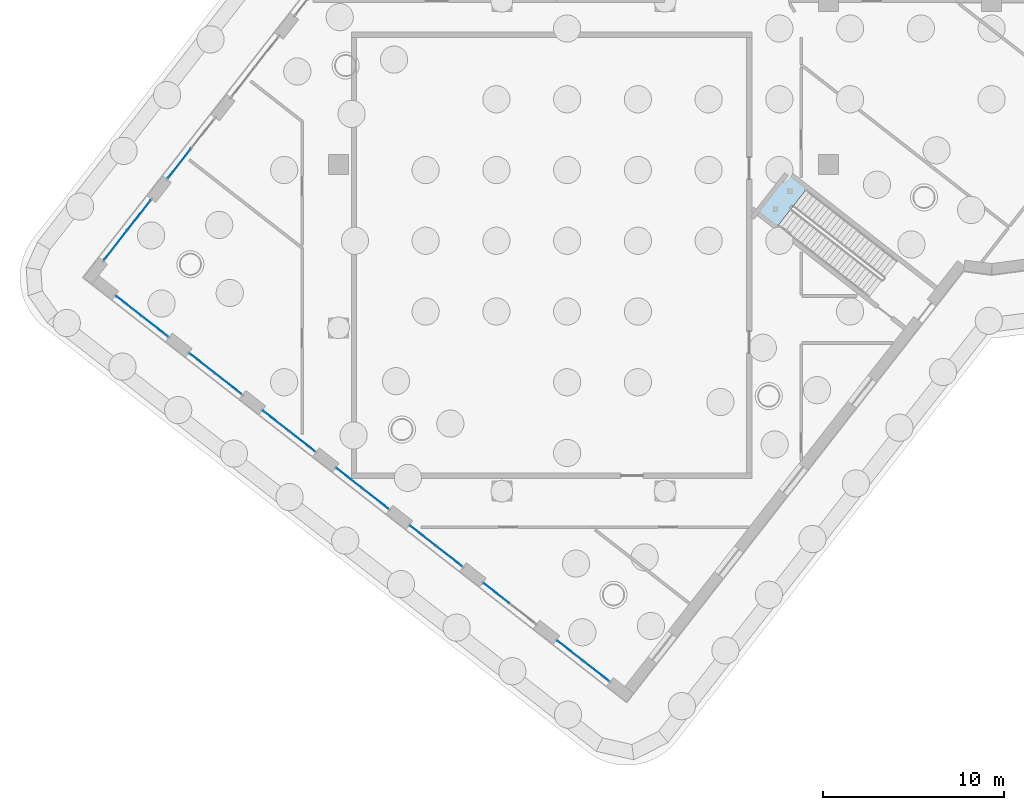
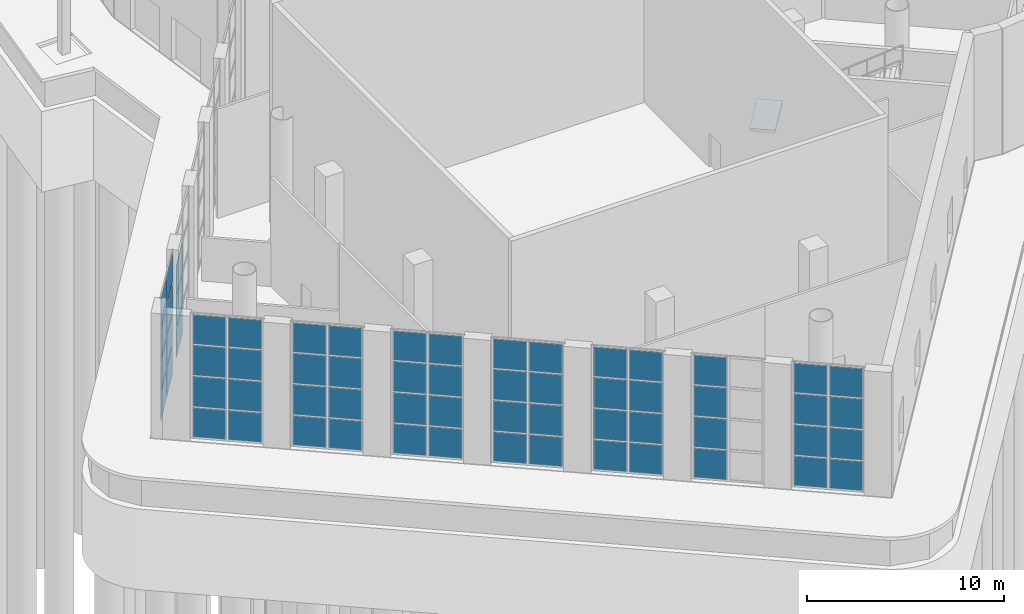
# One storey, part 7 of 34: 63 plates, 1 slab, 10 elements without a shape of their own.
"""IFC4 building model written with IfcOpenShell, lengths in metres."""

import ifcopenshell
import ifcopenshell.guid

model = None  # the IFC model being written
_history = None  # IfcOwnerHistory: only IFC2X3 demands one
_inside = {}  # id of a spatial element -> (the spatial element, [elements in it])
_under = {}  # id of a project, library or spatial element -> (it, [spatial elements below it])
_declared = {}  # id of a project -> (the project, [libraries it declares])
_typed = {}  # id of a type object -> (the type object, [elements of that type])
_made_of = {}  # id of a material, layer set ... -> (it, [elements and type objects made of it])


def new_model(schema):
    """Start an empty IFC model of exactly this schema.

    Asked for "IFC4X3", IfcOpenShell would pick the latest addendum, in which some entities
    have other attributes; the version numbers below select the first issue.
    IFC2X3 requires an IfcOwnerHistory on every rooted entity: one is made here for all.
    """
    global model, _history
    if schema == "IFC4X3":
        model = ifcopenshell.file(schema_version=(4, 3, 0, 0))
    else:
        model = ifcopenshell.file(schema=schema)
    _inside.clear()
    _under.clear()
    _declared.clear()
    _typed.clear()
    _made_of.clear()
    _history = None
    if model.schema == "IFC2X3":
        org = make("IfcOrganization", Name="unknown")
        user = make(
            "IfcPersonAndOrganization",
            ThePerson=make("IfcPerson", FamilyName="unknown"),
            TheOrganization=org,
        )
        app = make(
            "IfcApplication",
            ApplicationDeveloper=org,
            Version="unknown",
            ApplicationFullName="unknown",
            ApplicationIdentifier="unknown",
        )
        _history = make(
            "IfcOwnerHistory",
            OwningUser=user,
            OwningApplication=app,
            ChangeAction="ADDED",
            CreationDate=0,
        )
    return model


def make(cls, **values):
    """One entity of the class cls with the attributes given. An attribute that is None is left unset."""
    return model.create_entity(
        cls, **{name: value for name, value in values.items() if value is not None}
    )


def rooted(cls, **values):
    """An entity with a GlobalId (a new one), such as an element, a storey or a relation."""
    return make(cls, GlobalId=ifcopenshell.guid.new(), OwnerHistory=_history, **values)


def si_unit(unit_type, name, prefix=None):
    """IfcSIUnit, for example si_unit("LENGTHUNIT", "METRE", prefix="MILLI")."""
    return make("IfcSIUnit", UnitType=unit_type, Prefix=prefix, Name=name)


def assignment(units):
    """IfcUnitAssignment: the units of a project."""
    return None if units is None else make("IfcUnitAssignment", Units=units)


def point(xyz):
    """IfcCartesianPoint."""
    return None if xyz is None else make("IfcCartesianPoint", Coordinates=xyz)


def direction(xyz):
    """IfcDirection."""
    return None if xyz is None else make("IfcDirection", DirectionRatios=xyz)


def frame(location, z_axis=None, x_axis=None):
    """IfcAxis2Placement3D, a coordinate frame: its origin and axes. An axis left out is left unset."""
    return make(
        "IfcAxis2Placement3D",
        Location=point(location),
        Axis=direction(z_axis),
        RefDirection=direction(x_axis),
    )


def frame_2d(location, x_axis=None):
    """IfcAxis2Placement2D, a coordinate frame in the plane: its origin and x axis."""
    return make(
        "IfcAxis2Placement2D", Location=point(location), RefDirection=direction(x_axis)
    )


def origin():
    """The frame at (0, 0, 0) with its axes left unset."""
    return frame((0.0, 0.0, 0.0))


def origin_2d():
    """The frame at (0, 0) in the plane with its x axis left unset."""
    return frame_2d((0.0, 0.0))


def place(relative_to, where):
    """IfcLocalPlacement: puts the frame where relative to a parent placement (None: the world)."""
    return make(
        "IfcLocalPlacement", PlacementRelTo=relative_to, RelativePlacement=where
    )


def context(
    kind, dimensions, precision=None, world=None, true_north=None, identifier=None
):
    """IfcGeometricRepresentationContext, for example the 3D "Model" context."""
    return make(
        "IfcGeometricRepresentationContext",
        ContextIdentifier=identifier,
        ContextType=kind,
        CoordinateSpaceDimension=dimensions,
        Precision=precision,
        WorldCoordinateSystem=world,
        TrueNorth=true_north,
    )


def subcontext(parent, identifier, kind, view, scale=None):
    """IfcGeometricRepresentationSubContext, for example "Body" below "Model"."""
    return make(
        "IfcGeometricRepresentationSubContext",
        ContextIdentifier=identifier,
        ContextType=kind,
        ParentContext=parent,
        TargetScale=scale,
        TargetView=view,
    )


def project(units=None, contexts=None):
    """IfcProject with its units and contexts."""
    return rooted(
        "IfcProject",
        Name="project",
        RepresentationContexts=contexts,
        UnitsInContext=assignment(units),
    )


def spatial(cls, under=None, at=None, **own):
    """A site, building, storey or space (cls), placed at a placement, below another one or the project."""
    s = rooted(cls, ObjectPlacement=at, **own)
    if under is not None:
        _under.setdefault(under.id(), (under, []))[1].append(s)
    return s


def polyline(points):
    """IfcPolyline through the points."""
    return make("IfcPolyline", Points=[point(p) for p in points])


def profile(cls, at=None, kind="AREA", **sizes):
    """A parametric profile (cls). Its sizes go by their IFC names, for example OverallWidth=200.0."""
    return make(cls, ProfileType=kind, Position=at, **sizes)


def rectangle(**sizes):
    """IfcRectangleProfileDef."""
    return profile("IfcRectangleProfileDef", **sizes)


def outline(outer, holes=None, kind="AREA"):
    """IfcArbitraryClosedProfileDef: a profile drawn as a closed curve; with holes, ...WithVoids."""
    if holes is None:
        return make("IfcArbitraryClosedProfileDef", ProfileType=kind, OuterCurve=outer)
    return make(
        "IfcArbitraryProfileDefWithVoids",
        ProfileType=kind,
        OuterCurve=outer,
        InnerCurves=holes,
    )


def extrude(swept, where, along, depth):
    """IfcExtrudedAreaSolid: the profile swept, set in the frame where, extruded along a direction by depth."""
    return make(
        "IfcExtrudedAreaSolid",
        SweptArea=swept,
        Position=where,
        ExtrudedDirection=direction(along),
        Depth=depth,
    )


def shape(context_of_items, identifier, shape_type, items):
    """IfcShapeRepresentation: the items that make up one representation, for example the "Body"."""
    return make(
        "IfcShapeRepresentation",
        ContextOfItems=context_of_items,
        RepresentationIdentifier=identifier,
        RepresentationType=shape_type,
        Items=items,
    )


def material(Name=None, Category=None):
    """IfcMaterial."""
    return make("IfcMaterial", Name=Name, Category=Category)


def layer(
    of_material, thickness, ventilated=None, Name=None, Category=None, Priority=None
):
    """IfcMaterialLayer: one layer of a wall or slab, of a material (None: an air gap)."""
    return make(
        "IfcMaterialLayer",
        Material=of_material,
        LayerThickness=thickness,
        IsVentilated=ventilated,
        Name=Name,
        Category=Category,
        Priority=Priority,
    )


def layer_set(layers, Name=None):
    """IfcMaterialLayerSet."""
    return make("IfcMaterialLayerSet", MaterialLayers=layers, LayerSetName=Name)


def made_of(thing, what):
    """Note that an element or type object is made of a material, layer set ...; save() writes the relation."""
    if what is not None:
        _made_of.setdefault(what.id(), (what, []))[1].append(thing)
    return thing


def type_object(cls, material=None, **own):
    """A type object (cls), such as IfcWallType, which elements share."""
    return made_of(rooted(cls, **own), material)


def element(
    cls,
    number,
    at=None,
    inside=None,
    cuts=None,
    type_object=None,
    material=None,
    context=None,
    identifier="Body",
    shape_type=None,
    held_by="IfcProductDefinitionShape",
    body=None,
    shapes=None,
    **own,
):
    """One element of the class cls, such as IfcWall. Its Tag is "e" and its number.

    at: its placement. inside: the storey or other place that contains it. cuts: it is an
    opening in that element (IfcRelVoidsElement). A single representation is given by context,
    identifier, shape_type and body (its items); several are given by shapes. held_by: the class
    of the entity that holds the representations. save() writes the other relations.
    """
    e = rooted(cls, Tag="e%d" % number, ObjectPlacement=at, **own)
    if body is not None:
        shapes = [shape(context, identifier, shape_type, body)]
    if shapes is not None:
        e.Representation = make(held_by, Representations=shapes)
    if inside is not None:
        _inside.setdefault(inside.id(), (inside, []))[1].append(e)
    if cuts is not None:
        rooted(
            "IfcRelVoidsElement", RelatingBuildingElement=cuts, RelatedOpeningElement=e
        )
    if type_object is not None:
        _typed.setdefault(type_object.id(), (type_object, []))[1].append(e)
    return made_of(e, material)


def aggregate(whole, parts):
    """IfcRelAggregates: a whole, such as a stair, and the parts it consists of."""
    return rooted("IfcRelAggregates", RelatingObject=whole, RelatedObjects=parts)


def save(model, path):
    """Write the relations noted so far, then the file.

    IfcRelAggregates (storeys below a building ...), IfcRelContainedInSpatialStructure (elements
    in a storey), IfcRelDefinesByType, IfcRelAssociatesMaterial and IfcRelDeclares: one each for
    every whole, place, type object, material and project.
    """
    for whole, parts in _under.values():
        aggregate(whole, parts)
    for where, things in _inside.values():
        rooted(
            "IfcRelContainedInSpatialStructure",
            RelatedElements=things,
            RelatingStructure=where,
        )
    for kind, things in _typed.values():
        rooted("IfcRelDefinesByType", RelatedObjects=things, RelatingType=kind)
    for what, things in _made_of.values():
        rooted("IfcRelAssociatesMaterial", RelatedObjects=things, RelatingMaterial=what)
    for by, libraries in _declared.values():
        rooted("IfcRelDeclares", RelatingContext=by, RelatedDefinitions=libraries)
    model.write(path)


model = new_model("IFC4")

# Units and contexts
model_context = context("Model", 3, precision=1e-05, world=origin(), true_north=direction((0.0, 1.0)))
body_context = subcontext(model_context, "Body", "Model", "MODEL_VIEW")
ifc_project = project(units=[si_unit("LENGTHUNIT", "METRE"), si_unit("AREAUNIT", "SQUARE_METRE"), si_unit("VOLUMEUNIT", "CUBIC_METRE"), si_unit("PLANEANGLEUNIT", "RADIAN"), si_unit("MASSUNIT", "GRAM", prefix="KILO")], contexts=[model_context])

# Site, building, storey
site_placement = place(None, origin())
site = spatial("IfcSite", under=ifc_project, at=site_placement, CompositionType="ELEMENT")
building_placement = place(site_placement, origin())
building = spatial("IfcBuilding", under=site, at=building_placement, Name="Tarsis Ring Headquarters", CompositionType="ELEMENT")
storey_placement = place(building_placement, origin())
storey = spatial("IfcBuildingStorey", under=building, at=storey_placement, Name="L00", CompositionType="ELEMENT", Elevation=0.0)

# Curtain wall, plates
ifc_material_1 = material(Name="Aluminium and glass", Category="aluminium")
curtain_wall_type = type_object("IfcCurtainWallType", Name="PO-CW1", PredefinedType="NOTDEFINED", material=ifc_material_1)
curtain_wall_1_placement = place(storey_placement, origin())
curtain_wall_1 = element("IfcCurtainWall", 1, at=curtain_wall_1_placement, inside=storey, type_object=curtain_wall_type, Name="Shopfront curtain wall 6.4", PredefinedType="NOTDEFINED")
ifc_material_2 = material(Name="Insulated glass", Category="glass")
plate_type = type_object("IfcPlateType", Name="PO-CW1P", PredefinedType="CURTAIN_PANEL", material=ifc_material_2)
plate_1_placement = place(storey_placement, frame((-44.779296875, -26.941162109375, 0.080078125), z_axis=(0.0, 0.0, 1.0), x_axis=(-0.615661392269, -0.788010818498, 0.0)))
plate_1 = element("IfcPlate", 2, at=plate_1_placement, type_object=plate_type, Name="CW-P1 panel 2.1", PredefinedType="CURTAIN_PANEL", context=body_context, shape_type="SweptSolid", body=[
    extrude(rectangle(XDim=2.032470703125, YDim=0.028076171875, at=origin_2d()), origin(), (0.0, 0.0, 1.0), 1.8173828125),
])
plate_2_placement = place(storey_placement, frame((-44.779296875, -26.941162109375, 1.9775390625), z_axis=(0.0, 0.0, 1.0), x_axis=(-0.615661392269, -0.788010818498, 0.0)))
plate_2 = element("IfcPlate", 3, at=plate_2_placement, type_object=plate_type, Name="CW-P1 panel 2.2", PredefinedType="CURTAIN_PANEL", context=body_context, shape_type="SweptSolid", body=[
    extrude(rectangle(XDim=2.032470703125, YDim=0.028076171875, at=origin_2d()), origin(), (0.0, 0.0, 1.0), 1.857421875),
])
plate_3_placement = place(storey_placement, frame((-44.779296875, -26.941162109375, 3.9150390625), z_axis=(0.0, 0.0, 1.0), x_axis=(-0.615661392269, -0.788010818498, 0.0)))
plate_3 = element("IfcPlate", 4, at=plate_3_placement, type_object=plate_type, Name="CW-P1 panel 2.3", PredefinedType="CURTAIN_PANEL", context=body_context, shape_type="SweptSolid", body=[
    extrude(rectangle(XDim=2.032470703125, YDim=0.028076171875, at=origin_2d()), origin(), (0.0, 0.0, 1.0), 1.857421875),
])
aggregate(curtain_wall_1, [plate_1, plate_2, plate_3])

curtain_wall_2_placement = place(storey_placement, origin())
curtain_wall_2 = element("IfcCurtainWall", 5, at=curtain_wall_2_placement, inside=storey, type_object=curtain_wall_type, Name="Shopfront curtain wall 6.5", PredefinedType="NOTDEFINED")
plate_4_placement = place(storey_placement, frame((-46.9912109375, -29.77197265625, 0.080078125), z_axis=(0.0, 0.0, 1.0), x_axis=(-0.615661504964, -0.788010730451, 0.0)))
plate_4 = element("IfcPlate", 6, at=plate_4_placement, type_object=plate_type, Name="CW-P1 panel 1.1", PredefinedType="CURTAIN_PANEL", context=body_context, shape_type="SweptSolid", body=[
    extrude(rectangle(XDim=2.032470703125, YDim=0.028076171875, at=origin_2d()), origin(), (0.0, 0.0, 1.0), 1.8173828125),
])
plate_5_placement = place(storey_placement, frame((-46.9912109375, -29.77197265625, 1.9775390625), z_axis=(0.0, 0.0, 1.0), x_axis=(-0.615661504964, -0.788010730451, 0.0)))
plate_5 = element("IfcPlate", 7, at=plate_5_placement, type_object=plate_type, Name="CW-P1 panel 1.2", PredefinedType="CURTAIN_PANEL", context=body_context, shape_type="SweptSolid", body=[
    extrude(rectangle(XDim=2.032470703125, YDim=0.028076171875, at=origin_2d()), origin(), (0.0, 0.0, 1.0), 1.857421875),
])
plate_6_placement = place(storey_placement, frame((-46.9912109375, -29.77197265625, 3.9150390625), z_axis=(0.0, 0.0, 1.0), x_axis=(-0.615661504964, -0.788010730451, 0.0)))
plate_6 = element("IfcPlate", 8, at=plate_6_placement, type_object=plate_type, Name="CW-P1 panel 1.3", PredefinedType="CURTAIN_PANEL", context=body_context, shape_type="SweptSolid", body=[
    extrude(rectangle(XDim=2.032470703125, YDim=0.028076171875, at=origin_2d()), origin(), (0.0, 0.0, 1.0), 1.857421875),
])
plate_7_placement = place(storey_placement, frame((-46.9912109375, -29.77197265625, 5.8525390625), z_axis=(0.0, 0.0, 1.0), x_axis=(-0.615661504964, -0.788010730451, 0.0)))
plate_7 = element("IfcPlate", 9, at=plate_7_placement, type_object=plate_type, Name="CW-P1 panel 1.4", PredefinedType="CURTAIN_PANEL", context=body_context, shape_type="SweptSolid", body=[
    extrude(rectangle(XDim=2.032470703125, YDim=0.028076171875, at=origin_2d()), origin(), (0.0, 0.0, 1.0), 1.8173828125),
])
plate_8_placement = place(storey_placement, frame((-48.291748046875, -31.436767578125, 0.080078125), z_axis=(0.0, 0.0, 1.0), x_axis=(-0.615661504964, -0.788010730451, 0.0)))
plate_8 = element("IfcPlate", 10, at=plate_8_placement, type_object=plate_type, Name="CW-P1 panel 2.1", PredefinedType="CURTAIN_PANEL", context=body_context, shape_type="SweptSolid", body=[
    extrude(rectangle(XDim=2.032470703125, YDim=0.028076171875, at=origin_2d()), origin(), (0.0, 0.0, 1.0), 1.8173828125),
])
plate_9_placement = place(storey_placement, frame((-48.291748046875, -31.436767578125, 1.9775390625), z_axis=(0.0, 0.0, 1.0), x_axis=(-0.615661504964, -0.788010730451, 0.0)))
plate_9 = element("IfcPlate", 11, at=plate_9_placement, type_object=plate_type, Name="CW-P1 panel 2.2", PredefinedType="CURTAIN_PANEL", context=body_context, shape_type="SweptSolid", body=[
    extrude(rectangle(XDim=2.032470703125, YDim=0.028076171875, at=origin_2d()), origin(), (0.0, 0.0, 1.0), 1.857421875),
])
plate_10_placement = place(storey_placement, frame((-48.291748046875, -31.436767578125, 3.9150390625), z_axis=(0.0, 0.0, 1.0), x_axis=(-0.615661504964, -0.788010730451, 0.0)))
plate_10 = element("IfcPlate", 12, at=plate_10_placement, type_object=plate_type, Name="CW-P1 panel 2.3", PredefinedType="CURTAIN_PANEL", context=body_context, shape_type="SweptSolid", body=[
    extrude(rectangle(XDim=2.032470703125, YDim=0.028076171875, at=origin_2d()), origin(), (0.0, 0.0, 1.0), 1.857421875),
])
plate_11_placement = place(storey_placement, frame((-48.291748046875, -31.436767578125, 5.8525390625), z_axis=(0.0, 0.0, 1.0), x_axis=(-0.615661504964, -0.788010730451, 0.0)))
plate_11 = element("IfcPlate", 13, at=plate_11_placement, type_object=plate_type, Name="CW-P1 panel 2.4", PredefinedType="CURTAIN_PANEL", context=body_context, shape_type="SweptSolid", body=[
    extrude(rectangle(XDim=2.032470703125, YDim=0.028076171875, at=origin_2d()), origin(), (0.0, 0.0, 1.0), 1.8173828125),
])
aggregate(curtain_wall_2, [plate_4, plate_5, plate_6, plate_7, plate_8, plate_9, plate_10, plate_11])

curtain_wall_3_placement = place(storey_placement, origin())
curtain_wall_3 = element("IfcCurtainWall", 14, at=curtain_wall_3_placement, inside=storey, type_object=curtain_wall_type, Name="Shopfront curtain wall 7.1", PredefinedType="NOTDEFINED")
plate_12_placement = place(storey_placement, frame((-47.551025390625, -34.80224609375, 0.080078125), z_axis=(0.0, 0.0, 1.0), x_axis=(0.788010678551, -0.615661571393, 0.0)))
plate_12 = element("IfcPlate", 15, at=plate_12_placement, type_object=plate_type, Name="CW-P1 panel 1.1", PredefinedType="CURTAIN_PANEL", context=body_context, shape_type="SweptSolid", body=[
    extrude(rectangle(XDim=1.75146484375, YDim=0.028076171875, at=origin_2d()), origin(), (0.0, 0.0, 1.0), 1.8173828125),
])
plate_13_placement = place(storey_placement, frame((-47.551025390625, -34.80224609375, 1.9775390625), z_axis=(0.0, 0.0, 1.0), x_axis=(0.788010678551, -0.615661571393, 0.0)))
plate_13 = element("IfcPlate", 16, at=plate_13_placement, type_object=plate_type, Name="CW-P1 panel 1.2", PredefinedType="CURTAIN_PANEL", context=body_context, shape_type="SweptSolid", body=[
    extrude(rectangle(XDim=1.75146484375, YDim=0.028076171875, at=origin_2d()), origin(), (0.0, 0.0, 1.0), 1.857421875),
])
plate_14_placement = place(storey_placement, frame((-47.551025390625, -34.80224609375, 3.9150390625), z_axis=(0.0, 0.0, 1.0), x_axis=(0.788010678551, -0.615661571393, 0.0)))
plate_14 = element("IfcPlate", 17, at=plate_14_placement, type_object=plate_type, Name="CW-P1 panel 1.3", PredefinedType="CURTAIN_PANEL", context=body_context, shape_type="SweptSolid", body=[
    extrude(rectangle(XDim=1.75146484375, YDim=0.028076171875, at=origin_2d()), origin(), (0.0, 0.0, 1.0), 1.857421875),
])
plate_15_placement = place(storey_placement, frame((-47.551025390625, -34.80224609375, 5.8525390625), z_axis=(0.0, 0.0, 1.0), x_axis=(0.788010678551, -0.615661571393, 0.0)))
plate_15 = element("IfcPlate", 18, at=plate_15_placement, type_object=plate_type, Name="CW-P1 panel 1.4", PredefinedType="CURTAIN_PANEL", context=body_context, shape_type="SweptSolid", body=[
    extrude(rectangle(XDim=1.75146484375, YDim=0.028076171875, at=origin_2d()), origin(), (0.0, 0.0, 1.0), 1.8173828125),
])
plate_16_placement = place(storey_placement, frame((-46.10791015625, -35.929931640625, 0.080078125), z_axis=(0.0, 0.0, 1.0), x_axis=(0.788010678551, -0.615661571393, 0.0)))
plate_16 = element("IfcPlate", 19, at=plate_16_placement, type_object=plate_type, Name="CW-P1 panel 2.1", PredefinedType="CURTAIN_PANEL", context=body_context, shape_type="SweptSolid", body=[
    extrude(rectangle(XDim=1.75146484375, YDim=0.028076171875, at=origin_2d()), origin(), (0.0, 0.0, 1.0), 1.8173828125),
])
plate_17_placement = place(storey_placement, frame((-46.10791015625, -35.929931640625, 1.9775390625), z_axis=(0.0, 0.0, 1.0), x_axis=(0.788010678551, -0.615661571393, 0.0)))
plate_17 = element("IfcPlate", 20, at=plate_17_placement, type_object=plate_type, Name="CW-P1 panel 2.2", PredefinedType="CURTAIN_PANEL", context=body_context, shape_type="SweptSolid", body=[
    extrude(rectangle(XDim=1.75146484375, YDim=0.028076171875, at=origin_2d()), origin(), (0.0, 0.0, 1.0), 1.857421875),
])
plate_18_placement = place(storey_placement, frame((-46.10791015625, -35.929931640625, 3.9150390625), z_axis=(0.0, 0.0, 1.0), x_axis=(0.788010678551, -0.615661571393, 0.0)))
plate_18 = element("IfcPlate", 21, at=plate_18_placement, type_object=plate_type, Name="CW-P1 panel 2.3", PredefinedType="CURTAIN_PANEL", context=body_context, shape_type="SweptSolid", body=[
    extrude(rectangle(XDim=1.75146484375, YDim=0.028076171875, at=origin_2d()), origin(), (0.0, 0.0, 1.0), 1.857421875),
])
plate_19_placement = place(storey_placement, frame((-46.10791015625, -35.929931640625, 5.8525390625), z_axis=(0.0, 0.0, 1.0), x_axis=(0.788010678551, -0.615661571393, 0.0)))
plate_19 = element("IfcPlate", 22, at=plate_19_placement, type_object=plate_type, Name="CW-P1 panel 2.4", PredefinedType="CURTAIN_PANEL", context=body_context, shape_type="SweptSolid", body=[
    extrude(rectangle(XDim=1.75146484375, YDim=0.028076171875, at=origin_2d()), origin(), (0.0, 0.0, 1.0), 1.8173828125),
])
aggregate(curtain_wall_3, [plate_12, plate_13, plate_14, plate_15, plate_16, plate_17, plate_18, plate_19])

curtain_wall_4_placement = place(storey_placement, origin())
curtain_wall_4 = element("IfcCurtainWall", 23, at=curtain_wall_4_placement, inside=storey, type_object=curtain_wall_type, Name="Shopfront curtain wall 7.2", PredefinedType="NOTDEFINED")
plate_20_placement = place(storey_placement, frame((-43.49853515625, -37.968505859375, 0.080078125), z_axis=(0.0, 0.0, 1.0), x_axis=(0.788010779825, -0.615661441767, 0.0)))
plate_20 = element("IfcPlate", 24, at=plate_20_placement, type_object=plate_type, Name="CW-P1 panel 1.1", PredefinedType="CURTAIN_PANEL", context=body_context, shape_type="SweptSolid", body=[
    extrude(rectangle(XDim=1.75146484375, YDim=0.028076171875, at=origin_2d()), origin(), (0.0, 0.0, 1.0), 1.8173828125),
])
plate_21_placement = place(storey_placement, frame((-43.49853515625, -37.968505859375, 1.9775390625), z_axis=(0.0, 0.0, 1.0), x_axis=(0.788010779825, -0.615661441767, 0.0)))
plate_21 = element("IfcPlate", 25, at=plate_21_placement, type_object=plate_type, Name="CW-P1 panel 1.2", PredefinedType="CURTAIN_PANEL", context=body_context, shape_type="SweptSolid", body=[
    extrude(rectangle(XDim=1.75146484375, YDim=0.028076171875, at=origin_2d()), origin(), (0.0, 0.0, 1.0), 1.857421875),
])
plate_22_placement = place(storey_placement, frame((-43.49853515625, -37.968505859375, 3.9150390625), z_axis=(0.0, 0.0, 1.0), x_axis=(0.788010779825, -0.615661441767, 0.0)))
plate_22 = element("IfcPlate", 26, at=plate_22_placement, type_object=plate_type, Name="CW-P1 panel 1.3", PredefinedType="CURTAIN_PANEL", context=body_context, shape_type="SweptSolid", body=[
    extrude(rectangle(XDim=1.75146484375, YDim=0.028076171875, at=origin_2d()), origin(), (0.0, 0.0, 1.0), 1.857421875),
])
plate_23_placement = place(storey_placement, frame((-43.49853515625, -37.968505859375, 5.8525390625), z_axis=(0.0, 0.0, 1.0), x_axis=(0.788010779825, -0.615661441767, 0.0)))
plate_23 = element("IfcPlate", 27, at=plate_23_placement, type_object=plate_type, Name="CW-P1 panel 1.4", PredefinedType="CURTAIN_PANEL", context=body_context, shape_type="SweptSolid", body=[
    extrude(rectangle(XDim=1.75146484375, YDim=0.028076171875, at=origin_2d()), origin(), (0.0, 0.0, 1.0), 1.8173828125),
])
plate_24_placement = place(storey_placement, frame((-42.05517578125, -39.09619140625, 0.080078125), z_axis=(0.0, 0.0, 1.0), x_axis=(0.788010779825, -0.615661441767, 0.0)))
plate_24 = element("IfcPlate", 28, at=plate_24_placement, type_object=plate_type, Name="CW-P1 panel 2.1", PredefinedType="CURTAIN_PANEL", context=body_context, shape_type="SweptSolid", body=[
    extrude(rectangle(XDim=1.75146484375, YDim=0.028076171875, at=origin_2d()), origin(), (0.0, 0.0, 1.0), 1.8173828125),
])
plate_25_placement = place(storey_placement, frame((-42.05517578125, -39.09619140625, 1.9775390625), z_axis=(0.0, 0.0, 1.0), x_axis=(0.788010779825, -0.615661441767, 0.0)))
plate_25 = element("IfcPlate", 29, at=plate_25_placement, type_object=plate_type, Name="CW-P1 panel 2.2", PredefinedType="CURTAIN_PANEL", context=body_context, shape_type="SweptSolid", body=[
    extrude(rectangle(XDim=1.75146484375, YDim=0.028076171875, at=origin_2d()), origin(), (0.0, 0.0, 1.0), 1.857421875),
])
plate_26_placement = place(storey_placement, frame((-42.05517578125, -39.09619140625, 3.9150390625), z_axis=(0.0, 0.0, 1.0), x_axis=(0.788010779825, -0.615661441767, 0.0)))
plate_26 = element("IfcPlate", 30, at=plate_26_placement, type_object=plate_type, Name="CW-P1 panel 2.3", PredefinedType="CURTAIN_PANEL", context=body_context, shape_type="SweptSolid", body=[
    extrude(rectangle(XDim=1.75146484375, YDim=0.028076171875, at=origin_2d()), origin(), (0.0, 0.0, 1.0), 1.857421875),
])
plate_27_placement = place(storey_placement, frame((-42.05517578125, -39.09619140625, 5.8525390625), z_axis=(0.0, 0.0, 1.0), x_axis=(0.788010779825, -0.615661441767, 0.0)))
plate_27 = element("IfcPlate", 31, at=plate_27_placement, type_object=plate_type, Name="CW-P1 panel 2.4", PredefinedType="CURTAIN_PANEL", context=body_context, shape_type="SweptSolid", body=[
    extrude(rectangle(XDim=1.75146484375, YDim=0.028076171875, at=origin_2d()), origin(), (0.0, 0.0, 1.0), 1.8173828125),
])
aggregate(curtain_wall_4, [plate_20, plate_21, plate_22, plate_23, plate_24, plate_25, plate_26, plate_27])

curtain_wall_5_placement = place(storey_placement, origin())
curtain_wall_5 = element("IfcCurtainWall", 32, at=curtain_wall_5_placement, inside=storey, type_object=curtain_wall_type, Name="Shopfront curtain wall 7.3", PredefinedType="NOTDEFINED")
plate_28_placement = place(storey_placement, frame((-39.44580078125, -41.134765625, 0.080078125), z_axis=(0.0, 0.0, 1.0), x_axis=(0.788010779825, -0.615661441767, 0.0)))
plate_28 = element("IfcPlate", 33, at=plate_28_placement, type_object=plate_type, Name="CW-P1 panel 1.1", PredefinedType="CURTAIN_PANEL", context=body_context, shape_type="SweptSolid", body=[
    extrude(rectangle(XDim=1.75146484375, YDim=0.028076171875, at=origin_2d()), origin(), (0.0, 0.0, 1.0), 1.8173828125),
])
plate_29_placement = place(storey_placement, frame((-39.44580078125, -41.134765625, 1.9775390625), z_axis=(0.0, 0.0, 1.0), x_axis=(0.788010779825, -0.615661441767, 0.0)))
plate_29 = element("IfcPlate", 34, at=plate_29_placement, type_object=plate_type, Name="CW-P1 panel 1.2", PredefinedType="CURTAIN_PANEL", context=body_context, shape_type="SweptSolid", body=[
    extrude(rectangle(XDim=1.75146484375, YDim=0.028076171875, at=origin_2d()), origin(), (0.0, 0.0, 1.0), 1.857421875),
])
plate_30_placement = place(storey_placement, frame((-39.44580078125, -41.134765625, 3.9150390625), z_axis=(0.0, 0.0, 1.0), x_axis=(0.788010779825, -0.615661441767, 0.0)))
plate_30 = element("IfcPlate", 35, at=plate_30_placement, type_object=plate_type, Name="CW-P1 panel 1.3", PredefinedType="CURTAIN_PANEL", context=body_context, shape_type="SweptSolid", body=[
    extrude(rectangle(XDim=1.75146484375, YDim=0.028076171875, at=origin_2d()), origin(), (0.0, 0.0, 1.0), 1.857421875),
])
plate_31_placement = place(storey_placement, frame((-39.44580078125, -41.134765625, 5.8525390625), z_axis=(0.0, 0.0, 1.0), x_axis=(0.788010779825, -0.615661441767, 0.0)))
plate_31 = element("IfcPlate", 36, at=plate_31_placement, type_object=plate_type, Name="CW-P1 panel 1.4", PredefinedType="CURTAIN_PANEL", context=body_context, shape_type="SweptSolid", body=[
    extrude(rectangle(XDim=1.75146484375, YDim=0.028076171875, at=origin_2d()), origin(), (0.0, 0.0, 1.0), 1.8173828125),
])
plate_32_placement = place(storey_placement, frame((-38.002685546875, -42.262451171875, 0.080078125), z_axis=(0.0, 0.0, 1.0), x_axis=(0.788010779825, -0.615661441767, 0.0)))
plate_32 = element("IfcPlate", 37, at=plate_32_placement, type_object=plate_type, Name="CW-P1 panel 2.1", PredefinedType="CURTAIN_PANEL", context=body_context, shape_type="SweptSolid", body=[
    extrude(rectangle(XDim=1.75146484375, YDim=0.028076171875, at=origin_2d()), origin(), (0.0, 0.0, 1.0), 1.8173828125),
])
plate_33_placement = place(storey_placement, frame((-38.002685546875, -42.262451171875, 1.9775390625), z_axis=(0.0, 0.0, 1.0), x_axis=(0.788010779825, -0.615661441767, 0.0)))
plate_33 = element("IfcPlate", 38, at=plate_33_placement, type_object=plate_type, Name="CW-P1 panel 2.2", PredefinedType="CURTAIN_PANEL", context=body_context, shape_type="SweptSolid", body=[
    extrude(rectangle(XDim=1.75146484375, YDim=0.028076171875, at=origin_2d()), origin(), (0.0, 0.0, 1.0), 1.857421875),
])
plate_34_placement = place(storey_placement, frame((-38.002685546875, -42.262451171875, 3.9150390625), z_axis=(0.0, 0.0, 1.0), x_axis=(0.788010779825, -0.615661441767, 0.0)))
plate_34 = element("IfcPlate", 39, at=plate_34_placement, type_object=plate_type, Name="CW-P1 panel 2.3", PredefinedType="CURTAIN_PANEL", context=body_context, shape_type="SweptSolid", body=[
    extrude(rectangle(XDim=1.75146484375, YDim=0.028076171875, at=origin_2d()), origin(), (0.0, 0.0, 1.0), 1.857421875),
])
plate_35_placement = place(storey_placement, frame((-38.002685546875, -42.262451171875, 5.8525390625), z_axis=(0.0, 0.0, 1.0), x_axis=(0.788010779825, -0.615661441767, 0.0)))
plate_35 = element("IfcPlate", 40, at=plate_35_placement, type_object=plate_type, Name="CW-P1 panel 2.4", PredefinedType="CURTAIN_PANEL", context=body_context, shape_type="SweptSolid", body=[
    extrude(rectangle(XDim=1.75146484375, YDim=0.028076171875, at=origin_2d()), origin(), (0.0, 0.0, 1.0), 1.8173828125),
])
aggregate(curtain_wall_5, [plate_28, plate_29, plate_30, plate_31, plate_32, plate_33, plate_34, plate_35])

curtain_wall_6_placement = place(storey_placement, origin())
curtain_wall_6 = element("IfcCurtainWall", 41, at=curtain_wall_6_placement, inside=storey, type_object=curtain_wall_type, Name="Shopfront curtain wall 7.4", PredefinedType="NOTDEFINED")
plate_36_placement = place(storey_placement, frame((-35.393310546875, -44.301025390625, 0.080078125), z_axis=(0.0, 0.0, 1.0), x_axis=(0.788010678551, -0.615661571393, 0.0)))
plate_36 = element("IfcPlate", 42, at=plate_36_placement, type_object=plate_type, Name="CW-P1 panel 1.1", PredefinedType="CURTAIN_PANEL", context=body_context, shape_type="SweptSolid", body=[
    extrude(rectangle(XDim=1.75146484375, YDim=0.028076171875, at=origin_2d()), origin(), (0.0, 0.0, 1.0), 1.8173828125),
])
plate_37_placement = place(storey_placement, frame((-35.393310546875, -44.301025390625, 1.9775390625), z_axis=(0.0, 0.0, 1.0), x_axis=(0.788010678551, -0.615661571393, 0.0)))
plate_37 = element("IfcPlate", 43, at=plate_37_placement, type_object=plate_type, Name="CW-P1 panel 1.2", PredefinedType="CURTAIN_PANEL", context=body_context, shape_type="SweptSolid", body=[
    extrude(rectangle(XDim=1.75146484375, YDim=0.028076171875, at=origin_2d()), origin(), (0.0, 0.0, 1.0), 1.857421875),
])
plate_38_placement = place(storey_placement, frame((-35.393310546875, -44.301025390625, 3.9150390625), z_axis=(0.0, 0.0, 1.0), x_axis=(0.788010678551, -0.615661571393, 0.0)))
plate_38 = element("IfcPlate", 44, at=plate_38_placement, type_object=plate_type, Name="CW-P1 panel 1.3", PredefinedType="CURTAIN_PANEL", context=body_context, shape_type="SweptSolid", body=[
    extrude(rectangle(XDim=1.75146484375, YDim=0.028076171875, at=origin_2d()), origin(), (0.0, 0.0, 1.0), 1.857421875),
])
plate_39_placement = place(storey_placement, frame((-35.393310546875, -44.301025390625, 5.8525390625), z_axis=(0.0, 0.0, 1.0), x_axis=(0.788010678551, -0.615661571393, 0.0)))
plate_39 = element("IfcPlate", 45, at=plate_39_placement, type_object=plate_type, Name="CW-P1 panel 1.4", PredefinedType="CURTAIN_PANEL", context=body_context, shape_type="SweptSolid", body=[
    extrude(rectangle(XDim=1.75146484375, YDim=0.028076171875, at=origin_2d()), origin(), (0.0, 0.0, 1.0), 1.8173828125),
])
plate_40_placement = place(storey_placement, frame((-33.949951171875, -45.4287109375, 0.080078125), z_axis=(0.0, 0.0, 1.0), x_axis=(0.788010678551, -0.615661571393, 0.0)))
plate_40 = element("IfcPlate", 46, at=plate_40_placement, type_object=plate_type, Name="CW-P1 panel 2.1", PredefinedType="CURTAIN_PANEL", context=body_context, shape_type="SweptSolid", body=[
    extrude(rectangle(XDim=1.75146484375, YDim=0.028076171875, at=origin_2d()), origin(), (0.0, 0.0, 1.0), 1.8173828125),
])
plate_41_placement = place(storey_placement, frame((-33.949951171875, -45.4287109375, 1.9775390625), z_axis=(0.0, 0.0, 1.0), x_axis=(0.788010678551, -0.615661571393, 0.0)))
plate_41 = element("IfcPlate", 47, at=plate_41_placement, type_object=plate_type, Name="CW-P1 panel 2.2", PredefinedType="CURTAIN_PANEL", context=body_context, shape_type="SweptSolid", body=[
    extrude(rectangle(XDim=1.75146484375, YDim=0.028076171875, at=origin_2d()), origin(), (0.0, 0.0, 1.0), 1.857421875),
])
plate_42_placement = place(storey_placement, frame((-33.949951171875, -45.4287109375, 3.9150390625), z_axis=(0.0, 0.0, 1.0), x_axis=(0.788010678551, -0.615661571393, 0.0)))
plate_42 = element("IfcPlate", 48, at=plate_42_placement, type_object=plate_type, Name="CW-P1 panel 2.3", PredefinedType="CURTAIN_PANEL", context=body_context, shape_type="SweptSolid", body=[
    extrude(rectangle(XDim=1.75146484375, YDim=0.028076171875, at=origin_2d()), origin(), (0.0, 0.0, 1.0), 1.857421875),
])
plate_43_placement = place(storey_placement, frame((-33.949951171875, -45.4287109375, 5.8525390625), z_axis=(0.0, 0.0, 1.0), x_axis=(0.788010678551, -0.615661571393, 0.0)))
plate_43 = element("IfcPlate", 49, at=plate_43_placement, type_object=plate_type, Name="CW-P1 panel 2.4", PredefinedType="CURTAIN_PANEL", context=body_context, shape_type="SweptSolid", body=[
    extrude(rectangle(XDim=1.75146484375, YDim=0.028076171875, at=origin_2d()), origin(), (0.0, 0.0, 1.0), 1.8173828125),
])
aggregate(curtain_wall_6, [plate_36, plate_37, plate_38, plate_39, plate_40, plate_41, plate_42, plate_43])

curtain_wall_7_placement = place(storey_placement, origin())
curtain_wall_7 = element("IfcCurtainWall", 50, at=curtain_wall_7_placement, inside=storey, type_object=curtain_wall_type, Name="Shopfront curtain wall 7.5", PredefinedType="NOTDEFINED")
plate_44_placement = place(storey_placement, frame((-31.340576171875, -47.46728515625, 0.080078125), z_axis=(0.0, 0.0, 1.0), x_axis=(0.788010779825, -0.615661441767, 0.0)))
plate_44 = element("IfcPlate", 51, at=plate_44_placement, type_object=plate_type, Name="CW-P1 panel 1.1", PredefinedType="CURTAIN_PANEL", context=body_context, shape_type="SweptSolid", body=[
    extrude(rectangle(XDim=1.75146484375, YDim=0.028076171875, at=origin_2d()), origin(), (0.0, 0.0, 1.0), 1.8173828125),
])
plate_45_placement = place(storey_placement, frame((-31.340576171875, -47.46728515625, 1.9775390625), z_axis=(0.0, 0.0, 1.0), x_axis=(0.788010779825, -0.615661441767, 0.0)))
plate_45 = element("IfcPlate", 52, at=plate_45_placement, type_object=plate_type, Name="CW-P1 panel 1.2", PredefinedType="CURTAIN_PANEL", context=body_context, shape_type="SweptSolid", body=[
    extrude(rectangle(XDim=1.75146484375, YDim=0.028076171875, at=origin_2d()), origin(), (0.0, 0.0, 1.0), 1.857421875),
])
plate_46_placement = place(storey_placement, frame((-31.340576171875, -47.46728515625, 3.9150390625), z_axis=(0.0, 0.0, 1.0), x_axis=(0.788010779825, -0.615661441767, 0.0)))
plate_46 = element("IfcPlate", 53, at=plate_46_placement, type_object=plate_type, Name="CW-P1 panel 1.3", PredefinedType="CURTAIN_PANEL", context=body_context, shape_type="SweptSolid", body=[
    extrude(rectangle(XDim=1.75146484375, YDim=0.028076171875, at=origin_2d()), origin(), (0.0, 0.0, 1.0), 1.857421875),
])
plate_47_placement = place(storey_placement, frame((-31.340576171875, -47.46728515625, 5.8525390625), z_axis=(0.0, 0.0, 1.0), x_axis=(0.788010779825, -0.615661441767, 0.0)))
plate_47 = element("IfcPlate", 54, at=plate_47_placement, type_object=plate_type, Name="CW-P1 panel 1.4", PredefinedType="CURTAIN_PANEL", context=body_context, shape_type="SweptSolid", body=[
    extrude(rectangle(XDim=1.75146484375, YDim=0.028076171875, at=origin_2d()), origin(), (0.0, 0.0, 1.0), 1.8173828125),
])
plate_48_placement = place(storey_placement, frame((-29.8974609375, -48.594970703125, 0.080078125), z_axis=(0.0, 0.0, 1.0), x_axis=(0.788010779825, -0.615661441767, 0.0)))
plate_48 = element("IfcPlate", 55, at=plate_48_placement, type_object=plate_type, Name="CW-P1 panel 2.1", PredefinedType="CURTAIN_PANEL", context=body_context, shape_type="SweptSolid", body=[
    extrude(rectangle(XDim=1.75146484375, YDim=0.028076171875, at=origin_2d()), origin(), (0.0, 0.0, 1.0), 1.8173828125),
])
plate_49_placement = place(storey_placement, frame((-29.8974609375, -48.594970703125, 1.9775390625), z_axis=(0.0, 0.0, 1.0), x_axis=(0.788010779825, -0.615661441767, 0.0)))
plate_49 = element("IfcPlate", 56, at=plate_49_placement, type_object=plate_type, Name="CW-P1 panel 2.2", PredefinedType="CURTAIN_PANEL", context=body_context, shape_type="SweptSolid", body=[
    extrude(rectangle(XDim=1.75146484375, YDim=0.028076171875, at=origin_2d()), origin(), (0.0, 0.0, 1.0), 1.857421875),
])
plate_50_placement = place(storey_placement, frame((-29.8974609375, -48.594970703125, 3.9150390625), z_axis=(0.0, 0.0, 1.0), x_axis=(0.788010779825, -0.615661441767, 0.0)))
plate_50 = element("IfcPlate", 57, at=plate_50_placement, type_object=plate_type, Name="CW-P1 panel 2.3", PredefinedType="CURTAIN_PANEL", context=body_context, shape_type="SweptSolid", body=[
    extrude(rectangle(XDim=1.75146484375, YDim=0.028076171875, at=origin_2d()), origin(), (0.0, 0.0, 1.0), 1.857421875),
])
plate_51_placement = place(storey_placement, frame((-29.8974609375, -48.594970703125, 5.8525390625), z_axis=(0.0, 0.0, 1.0), x_axis=(0.788010779825, -0.615661441767, 0.0)))
plate_51 = element("IfcPlate", 58, at=plate_51_placement, type_object=plate_type, Name="CW-P1 panel 2.4", PredefinedType="CURTAIN_PANEL", context=body_context, shape_type="SweptSolid", body=[
    extrude(rectangle(XDim=1.75146484375, YDim=0.028076171875, at=origin_2d()), origin(), (0.0, 0.0, 1.0), 1.8173828125),
])
aggregate(curtain_wall_7, [plate_44, plate_45, plate_46, plate_47, plate_48, plate_49, plate_50, plate_51])

curtain_wall_8_placement = place(storey_placement, origin())
curtain_wall_8 = element("IfcCurtainWall", 59, at=curtain_wall_8_placement, inside=storey, type_object=curtain_wall_type, Name="Shopfront curtain wall 7.6", PredefinedType="NOTDEFINED")
plate_52_placement = place(storey_placement, frame((-27.287841796875, -50.633544921875, 0.080078125), z_axis=(0.0, 0.0, 1.0), x_axis=(0.788010779825, -0.615661441767, 0.0)))
plate_52 = element("IfcPlate", 60, at=plate_52_placement, type_object=plate_type, Name="CW-P1 panel 1.1", PredefinedType="CURTAIN_PANEL", context=body_context, shape_type="SweptSolid", body=[
    extrude(rectangle(XDim=1.75146484375, YDim=0.028076171875, at=origin_2d()), origin(), (0.0, 0.0, 1.0), 1.8173828125),
])
plate_53_placement = place(storey_placement, frame((-27.287841796875, -50.633544921875, 1.9775390625), z_axis=(0.0, 0.0, 1.0), x_axis=(0.788010779825, -0.615661441767, 0.0)))
plate_53 = element("IfcPlate", 61, at=plate_53_placement, type_object=plate_type, Name="CW-P1 panel 1.2", PredefinedType="CURTAIN_PANEL", context=body_context, shape_type="SweptSolid", body=[
    extrude(rectangle(XDim=1.75146484375, YDim=0.028076171875, at=origin_2d()), origin(), (0.0, 0.0, 1.0), 1.857421875),
])
plate_54_placement = place(storey_placement, frame((-27.287841796875, -50.633544921875, 3.9150390625), z_axis=(0.0, 0.0, 1.0), x_axis=(0.788010779825, -0.615661441767, 0.0)))
plate_54 = element("IfcPlate", 62, at=plate_54_placement, type_object=plate_type, Name="CW-P1 panel 1.3", PredefinedType="CURTAIN_PANEL", context=body_context, shape_type="SweptSolid", body=[
    extrude(rectangle(XDim=1.75146484375, YDim=0.028076171875, at=origin_2d()), origin(), (0.0, 0.0, 1.0), 1.857421875),
])
plate_55_placement = place(storey_placement, frame((-27.287841796875, -50.633544921875, 5.8525390625), z_axis=(0.0, 0.0, 1.0), x_axis=(0.788010779825, -0.615661441767, 0.0)))
plate_55 = element("IfcPlate", 63, at=plate_55_placement, type_object=plate_type, Name="CW-P1 panel 1.4", PredefinedType="CURTAIN_PANEL", context=body_context, shape_type="SweptSolid", body=[
    extrude(rectangle(XDim=1.75146484375, YDim=0.028076171875, at=origin_2d()), origin(), (0.0, 0.0, 1.0), 1.8173828125),
])
aggregate(curtain_wall_8, [plate_52, plate_53, plate_54, plate_55])

curtain_wall_9_placement = place(storey_placement, origin())
curtain_wall_9 = element("IfcCurtainWall", 64, at=curtain_wall_9_placement, inside=storey, type_object=curtain_wall_type, Name="Shopfront curtain wall 7.7", PredefinedType="NOTDEFINED")
plate_56_placement = place(storey_placement, frame((-23.2353515625, -53.7998046875, 0.080078125), z_axis=(0.0, 0.0, 1.0), x_axis=(0.788010779825, -0.615661441767, 0.0)))
plate_56 = element("IfcPlate", 65, at=plate_56_placement, type_object=plate_type, Name="CW-P1 panel 1.1", PredefinedType="CURTAIN_PANEL", context=body_context, shape_type="SweptSolid", body=[
    extrude(rectangle(XDim=1.75146484375, YDim=0.028076171875, at=origin_2d()), origin(), (0.0, 0.0, 1.0), 1.8173828125),
])
plate_57_placement = place(storey_placement, frame((-23.2353515625, -53.7998046875, 1.9775390625), z_axis=(0.0, 0.0, 1.0), x_axis=(0.788010779825, -0.615661441767, 0.0)))
plate_57 = element("IfcPlate", 66, at=plate_57_placement, type_object=plate_type, Name="CW-P1 panel 1.2", PredefinedType="CURTAIN_PANEL", context=body_context, shape_type="SweptSolid", body=[
    extrude(rectangle(XDim=1.75146484375, YDim=0.028076171875, at=origin_2d()), origin(), (0.0, 0.0, 1.0), 1.857421875),
])
plate_58_placement = place(storey_placement, frame((-23.2353515625, -53.7998046875, 3.9150390625), z_axis=(0.0, 0.0, 1.0), x_axis=(0.788010779825, -0.615661441767, 0.0)))
plate_58 = element("IfcPlate", 67, at=plate_58_placement, type_object=plate_type, Name="CW-P1 panel 1.3", PredefinedType="CURTAIN_PANEL", context=body_context, shape_type="SweptSolid", body=[
    extrude(rectangle(XDim=1.75146484375, YDim=0.028076171875, at=origin_2d()), origin(), (0.0, 0.0, 1.0), 1.857421875),
])
plate_59_placement = place(storey_placement, frame((-23.2353515625, -53.7998046875, 5.8525390625), z_axis=(0.0, 0.0, 1.0), x_axis=(0.788010779825, -0.615661441767, 0.0)))
plate_59 = element("IfcPlate", 68, at=plate_59_placement, type_object=plate_type, Name="CW-P1 panel 1.4", PredefinedType="CURTAIN_PANEL", context=body_context, shape_type="SweptSolid", body=[
    extrude(rectangle(XDim=1.75146484375, YDim=0.028076171875, at=origin_2d()), origin(), (0.0, 0.0, 1.0), 1.8173828125),
])
plate_60_placement = place(storey_placement, frame((-21.792236328125, -54.927490234375, 0.080078125), z_axis=(0.0, 0.0, 1.0), x_axis=(0.788010779825, -0.615661441767, 0.0)))
plate_60 = element("IfcPlate", 69, at=plate_60_placement, type_object=plate_type, Name="CW-P1 panel 2.1", PredefinedType="CURTAIN_PANEL", context=body_context, shape_type="SweptSolid", body=[
    extrude(rectangle(XDim=1.75146484375, YDim=0.028076171875, at=origin_2d()), origin(), (0.0, 0.0, 1.0), 1.8173828125),
])
plate_61_placement = place(storey_placement, frame((-21.792236328125, -54.927490234375, 1.9775390625), z_axis=(0.0, 0.0, 1.0), x_axis=(0.788010779825, -0.615661441767, 0.0)))
plate_61 = element("IfcPlate", 70, at=plate_61_placement, type_object=plate_type, Name="CW-P1 panel 2.2", PredefinedType="CURTAIN_PANEL", context=body_context, shape_type="SweptSolid", body=[
    extrude(rectangle(XDim=1.75146484375, YDim=0.028076171875, at=origin_2d()), origin(), (0.0, 0.0, 1.0), 1.857421875),
])
plate_62_placement = place(storey_placement, frame((-21.792236328125, -54.927490234375, 3.9150390625), z_axis=(0.0, 0.0, 1.0), x_axis=(0.788010779825, -0.615661441767, 0.0)))
plate_62 = element("IfcPlate", 71, at=plate_62_placement, type_object=plate_type, Name="CW-P1 panel 2.3", PredefinedType="CURTAIN_PANEL", context=body_context, shape_type="SweptSolid", body=[
    extrude(rectangle(XDim=1.75146484375, YDim=0.028076171875, at=origin_2d()), origin(), (0.0, 0.0, 1.0), 1.857421875),
])
plate_63_placement = place(storey_placement, frame((-21.792236328125, -54.927490234375, 5.8525390625), z_axis=(0.0, 0.0, 1.0), x_axis=(0.788010779825, -0.615661441767, 0.0)))
plate_63 = element("IfcPlate", 72, at=plate_63_placement, type_object=plate_type, Name="CW-P1 panel 2.4", PredefinedType="CURTAIN_PANEL", context=body_context, shape_type="SweptSolid", body=[
    extrude(rectangle(XDim=1.75146484375, YDim=0.028076171875, at=origin_2d()), origin(), (0.0, 0.0, 1.0), 1.8173828125),
])
aggregate(curtain_wall_9, [plate_56, plate_57, plate_58, plate_59, plate_60, plate_61, plate_62, plate_63])

# Stair, slab
ifc_material_3 = material(Name="Concrete C40/50", Category="concrete")
stair_type = type_object("IfcStairType", Name="PO-ST", PredefinedType="HALF_TURN_STAIR", material=ifc_material_3)
stair_placement = place(storey_placement, origin())
stair = element("IfcStair", 73, at=stair_placement, inside=storey, type_object=stair_type, Name="L00 Podium stair", PredefinedType="HALF_TURN_STAIR")
ifc_layer = layer(ifc_material_3, 0.199951171875)
ifc_layer_set = layer_set([ifc_layer], Name="PO-STL")
slab_type = type_object("IfcSlabType", Name="PO-STL", PredefinedType="LANDING", material=ifc_layer_set)
slab_placement = place(storey_placement, frame((0.0, 0.0, 3.800048828125)))
slab = element("IfcSlab", 74, at=slab_placement, type_object=slab_type, Name="Stair PS2 landing 1", PredefinedType="LANDING", context=body_context, shape_type="SweptSolid", body=[
    extrude(outline(polyline([(-10.18017578125, -28.32275390625), (-11.220703125, -27.5107421875), (-12.86376953125, -29.615234375), (-11.8232421875, -30.427490234375), (-10.18017578125, -28.32275390625)])), origin(), (0.0, 0.0, 1.0), 0.199951171875),
])
aggregate(stair, [slab])

save(model, "model.ifc")
